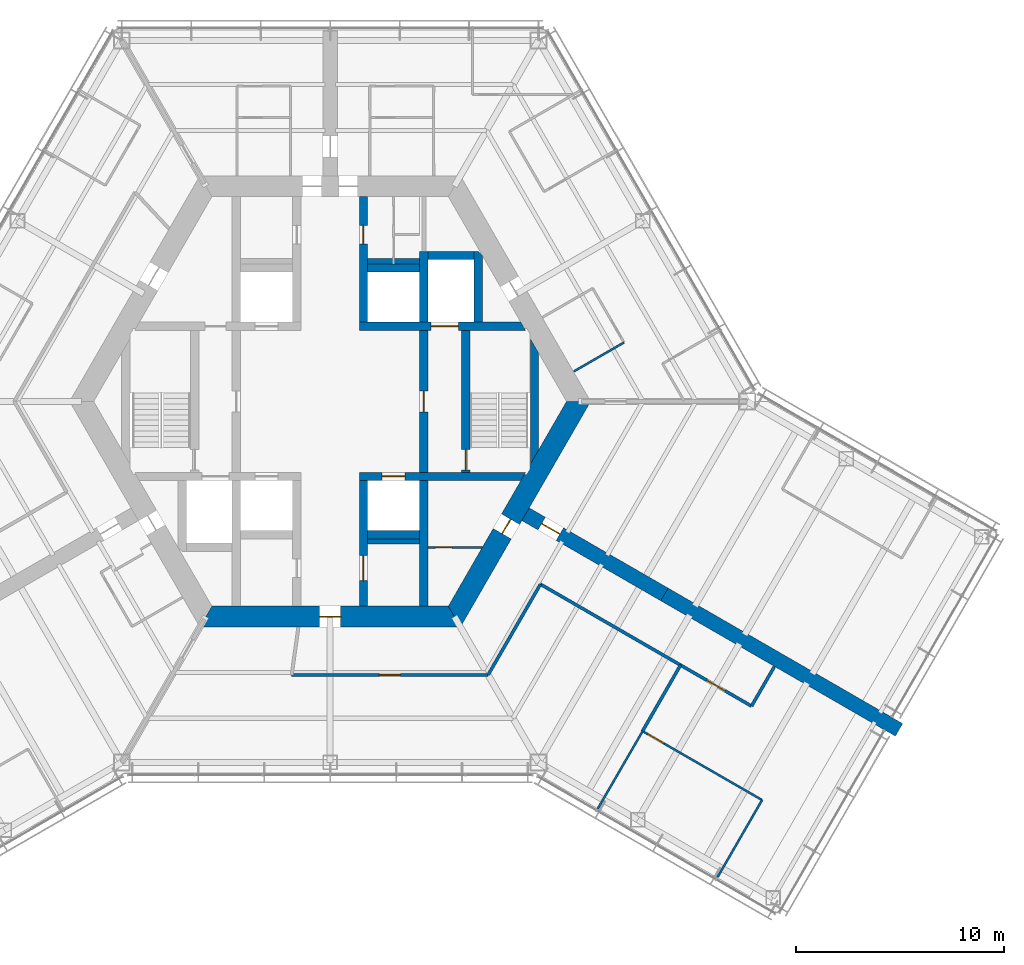
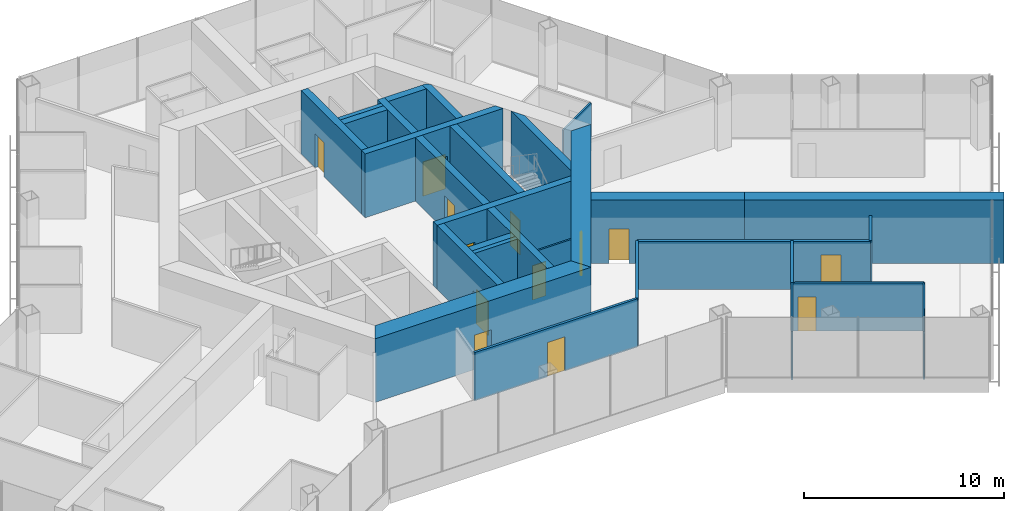
# One storey, part 13 of 18: 30 walls, 13 doors, 13 openings.
"""IFC4 building model written with IfcOpenShell, lengths in metres."""

from ifc_helpers import new_model, si_unit, direction, frame, frame_2d, origin, place, context, subcontext, project, spatial, polyline, rectangle, outline, extrude, material, layer, layer_set, type_object, element, fill, save


model = new_model("IFC4")

# Units and contexts
model_context = context("Model", 3, precision=1e-05, world=origin(), true_north=direction((0.0, 1.0)))
body_context = subcontext(model_context, "Body", "Model", "MODEL_VIEW")
ifc_project = project(units=[si_unit("LENGTHUNIT", "METRE"), si_unit("AREAUNIT", "SQUARE_METRE"), si_unit("VOLUMEUNIT", "CUBIC_METRE"), si_unit("PLANEANGLEUNIT", "RADIAN"), si_unit("MASSUNIT", "GRAM", prefix="KILO")], contexts=[model_context])

# Site, building, storey
site_placement = place(None, origin())
site = spatial("IfcSite", under=ifc_project, at=site_placement, CompositionType="ELEMENT")
building_placement = place(site_placement, origin())
building = spatial("IfcBuilding", under=site, at=building_placement, Name="Kasaneha Research Tower", CompositionType="ELEMENT")
storey_placement = place(building_placement, frame((0.0, 0.0, 148.699951171875)))
storey = spatial("IfcBuildingStorey", under=building, at=storey_placement, Name="L37", CompositionType="ELEMENT", Elevation=148.699951171875)

# Wall, opening, door
ifc_material_1 = material(Name="Concrete Fc70", Category="concrete")
ifc_layer_1 = layer(ifc_material_1, 0.39990234375)
ifc_layer_set_1 = layer_set([ifc_layer_1], Name="Core internal wall 400 Fc70")
wall_type_1 = type_object("IfcWallType", Name="Core internal wall 400 Fc70", PredefinedType="SHEAR", material=ifc_layer_set_1)
wall_1_placement = place(storey_placement, frame((1.39990234375, 3.60009765625, 0.0), z_axis=(0.0, 0.0, 1.0), x_axis=(1.0, 0.0, 0.0)))
wall_1 = element("IfcWall", 1, at=wall_1_placement, inside=storey, type_object=wall_type_1, Name="Core wall W1E L37", PredefinedType="SHEAR", context=body_context, shape_type="SweptSolid", body=[
    extrude(outline(polyline([(0.0, -0.199951171875), (3.449951171875, -0.199951171875), (4.75, -0.199951171875), (7.98193359375, -0.199951171875), (7.7509765625, 0.199951171875), (4.75, 0.199951171875), (3.449951171875, 0.199951171875), (0.0, 0.199951171875), (0.0, -0.199951171875)])), origin(), (0.0, 0.0, 1.0), 3.900146484375),
])
opening_1_placement = place(wall_1_placement, frame((3.449951171875, 0.0, 0.0)))
opening_1 = element("IfcOpeningElement", 2, at=opening_1_placement, cuts=wall_1, Name="Opening LD-FL1-L37", PredefinedType="OPENING", context=body_context, shape_type="SweptSolid", body=[
    extrude(rectangle(XDim=1.300048828125, YDim=2.10009765625, at=frame_2d((0.64990234375, 1.050048828125))), frame((0.0, 0.2099609375, 0.0), z_axis=(0.0, -1.0, 0.0), x_axis=(1.0, 0.0, 0.0)), (0.0, 0.0, 1.0), 0.419921875),
])
ifc_material_2 = material(Name="Steel", Category="steel")
door_type_1 = type_object("IfcDoorType", Name="Lift landing door 1300x2100", OperationType="DOUBLE_DOOR_SLIDING", PredefinedType="DOOR", material=ifc_material_2)
door_1_placement = place(opening_1_placement, origin())
door_1 = element("IfcDoor", 3, at=door_1_placement, inside=storey, type_object=door_type_1, Name="Landing door FL1 LD-FL1-L37", OperationType="DOUBLE_DOOR_SLIDING", OverallHeight=2.10009765625, OverallWidth=1.300048828125, PredefinedType="DOOR", context=body_context, shape_type="SweptSolid", body=[
    extrude(rectangle(XDim=1.300048828125, YDim=2.10009765625, at=frame_2d((0.64990234375, 1.050048828125))), frame((0.0, 0.02490234375, 0.0), z_axis=(0.0, -1.0, 0.0), x_axis=(1.0, 0.0, 0.0)), (0.0, 0.0, 1.0), 0.050048828125),
])
fill(opening_1, door_1)

wall_2_placement = place(storey_placement, frame((1.39990234375, -3.60009765625, 0.0), z_axis=(0.0, 0.0, 1.0), x_axis=(1.0, 0.0, 0.0)))
wall_2 = element("IfcWall", 4, at=wall_2_placement, inside=storey, type_object=wall_type_1, Name="Core wall W2E L37", PredefinedType="SHEAR", context=body_context, shape_type="SweptSolid", body=[
    extrude(outline(polyline([(0.0, -0.199951171875), (1.10009765625, -0.199951171875), (2.2001953125, -0.199951171875), (7.7509765625, -0.199951171875), (7.98193359375, 0.199951171875), (2.2001953125, 0.199951171875), (1.10009765625, 0.199951171875), (0.0, 0.199951171875), (0.0, -0.199951171875)])), origin(), (0.0, 0.0, 1.0), 3.900146484375),
])
opening_2_placement = place(wall_2_placement, frame((1.10009765625, 0.0, 0.0)))
opening_2 = element("IfcOpeningElement", 5, at=opening_2_placement, cuts=wall_2, Name="Opening LD-LM2-L37", PredefinedType="OPENING", context=body_context, shape_type="SweptSolid", body=[
    extrude(rectangle(XDim=1.10009765625, YDim=2.10009765625, at=frame_2d((0.550048828125, 1.050048828125))), frame((0.0, 0.2099609375, 0.0), z_axis=(0.0, -1.0, 0.0), x_axis=(1.0, 0.0, 0.0)), (0.0, 0.0, 1.0), 0.419921875),
])
ifc_material_3 = material(Name="Steel", Category="steel")
door_type_2 = type_object("IfcDoorType", Name="Lift landing door 1100x2100", OperationType="DOUBLE_DOOR_SLIDING", PredefinedType="DOOR", material=ifc_material_3)
door_2_placement = place(opening_2_placement, origin())
door_2 = element("IfcDoor", 6, at=door_2_placement, inside=storey, type_object=door_type_2, Name="Landing door LM2 LD-LM2-L37", OperationType="DOUBLE_DOOR_SLIDING", OverallHeight=2.10009765625, OverallWidth=1.10009765625, PredefinedType="DOOR", context=body_context, shape_type="SweptSolid", body=[
    extrude(rectangle(XDim=1.10009765625, YDim=2.10009765625, at=frame_2d((0.550048828125, 1.050048828125))), frame((0.0, 0.02490234375, 0.0), z_axis=(0.0, -1.0, 0.0), x_axis=(1.0, 0.0, 0.0)), (0.0, 0.0, 1.0), 0.050048828125),
])
fill(opening_2, door_2)

wall_3_placement = place(storey_placement, frame((1.60009765625, 3.800048828125, 0.0), z_axis=(0.0, 0.0, 1.0), x_axis=(0.0, 1.0, 0.0)))
wall_3 = element("IfcWall", 7, at=wall_3_placement, inside=storey, type_object=wall_type_1, Name="Core wall CNE L37", PredefinedType="SHEAR", context=body_context, shape_type="SweptSolid", body=[
    extrude(rectangle(XDim=6.02490234375, YDim=0.39990234375, at=frame_2d((3.012451171875, 0.0))), origin(), (0.0, 0.0, 1.0), 3.900146484375),
])
opening_3_placement = place(wall_3_placement, frame((3.75, 0.0, 0.0)))
opening_3 = element("IfcOpeningElement", 8, at=opening_3_placement, cuts=wall_3, Name="Opening L37-D14", PredefinedType="OPENING", context=body_context, shape_type="SweptSolid", body=[
    extrude(rectangle(XDim=0.89990234375, YDim=2.10009765625, at=frame_2d((0.449951171875, 1.050048828125))), frame((0.0, 0.2099609375, 0.0), z_axis=(0.0, -1.0, 0.0), x_axis=(1.0, 0.0, 0.0)), (0.0, 0.0, 1.0), 0.419921875),
])
ifc_material_4 = material(Name="Steel", Category="steel")
door_type_3 = type_object("IfcDoorType", Name="Toilet door FD20 900x2100", OperationType="NOTDEFINED", PredefinedType="DOOR", material=ifc_material_4)
door_3_placement = place(opening_3_placement, origin())
door_3 = element("IfcDoor", 9, at=door_3_placement, inside=storey, type_object=door_type_3, Name="Women's WC door L37-D14", OperationType="SINGLE_SWING_LEFT", OverallHeight=2.10009765625, OverallWidth=0.89990234375, PredefinedType="DOOR", context=body_context, shape_type="SweptSolid", body=[
    extrude(rectangle(XDim=0.89990234375, YDim=2.10009765625, at=frame_2d((0.449951171875, 1.050048828125))), frame((0.0, 0.02490234375, 0.0), z_axis=(0.0, -1.0, 0.0), x_axis=(1.0, 0.0, 0.0)), (0.0, 0.0, 1.0), 0.050048828125),
])
fill(opening_3, door_3)

wall_4_placement = place(storey_placement, frame((1.60009765625, -3.800048828125, 0.0), z_axis=(0.0, 0.0, 1.0), x_axis=(0.0, -1.0, 0.0)))
wall_4 = element("IfcWall", 10, at=wall_4_placement, inside=storey, type_object=wall_type_1, Name="Core wall CSE L37", PredefinedType="SHEAR", context=body_context, shape_type="SweptSolid", body=[
    extrude(rectangle(XDim=6.02490234375, YDim=0.39990234375, at=frame_2d((3.012451171875, 0.0))), origin(), (0.0, 0.0, 1.0), 3.900146484375),
])
opening_4_placement = place(wall_4_placement, frame((3.60009765625, 0.0, 0.0)))
opening_4 = element("IfcOpeningElement", 11, at=opening_4_placement, cuts=wall_4, Name="Opening L37-D15", PredefinedType="OPENING", context=body_context, shape_type="SweptSolid", body=[
    extrude(rectangle(XDim=1.199951171875, YDim=2.10009765625, at=frame_2d((0.60009765625, 1.050048828125))), frame((0.0, 0.2099609375, 0.0), z_axis=(0.0, -1.0, 0.0), x_axis=(1.0, 0.0, 0.0)), (0.0, 0.0, 1.0), 0.419921875),
])
ifc_material_5 = material(Name="Steel", Category="steel")
door_type_4 = type_object("IfcDoorType", Name="Accessible toilet sliding door FD20 1200x2100", OperationType="SLIDING_TO_LEFT", PredefinedType="DOOR", material=ifc_material_5)
door_4_placement = place(opening_4_placement, origin())
door_4 = element("IfcDoor", 12, at=door_4_placement, inside=storey, type_object=door_type_4, Name="Accessible WC door L37-D15", OperationType="SLIDING_TO_LEFT", OverallHeight=2.10009765625, OverallWidth=1.199951171875, PredefinedType="DOOR", context=body_context, shape_type="SweptSolid", body=[
    extrude(rectangle(XDim=1.199951171875, YDim=2.10009765625, at=frame_2d((0.60009765625, 1.050048828125))), frame((0.0, 0.02490234375, 0.0), z_axis=(0.0, -1.0, 0.0), x_axis=(1.0, 0.0, 0.0)), (0.0, 0.0, 1.0), 0.050048828125),
])
fill(opening_4, door_4)

wall_5_placement = place(storey_placement, frame((4.5, -3.39990234375, 0.0), z_axis=(0.0, 0.0, 1.0), x_axis=(0.0, 1.0, 0.0)))
wall_5 = element("IfcWall", 13, at=wall_5_placement, inside=storey, type_object=wall_type_1, Name="Core wall LBE L37", PredefinedType="SHEAR", context=body_context, shape_type="SweptSolid", body=[
    extrude(rectangle(XDim=6.7998046875, YDim=0.39990234375, at=frame_2d((3.39990234375, 0.0))), origin(), (0.0, 0.0, 1.0), 3.900146484375),
])
opening_5_placement = place(wall_5_placement, frame((2.89990234375, 0.0, 0.0)))
opening_5 = element("IfcOpeningElement", 14, at=opening_5_placement, cuts=wall_5, Name="Opening L37-D08", PredefinedType="OPENING", context=body_context, shape_type="SweptSolid", body=[
    extrude(rectangle(XDim=1.0, YDim=2.10009765625, at=frame_2d((0.5, 1.050048828125))), frame((0.0, 0.2099609375, 0.0), z_axis=(0.0, -1.0, 0.0), x_axis=(1.0, 0.0, 0.0)), (0.0, 0.0, 1.0), 0.419921875),
])
ifc_material_6 = material(Name="Steel", Category="steel")
door_type_5 = type_object("IfcDoorType", Name="Specified fire door FD60 1000x2100", OperationType="NOTDEFINED", PredefinedType="DOOR", material=ifc_material_6)
door_5_placement = place(opening_5_placement, origin())
door_5 = element("IfcDoor", 15, at=door_5_placement, inside=storey, type_object=door_type_5, Name="Lift lobby door east L37-D08", OperationType="SINGLE_SWING_LEFT", OverallHeight=2.10009765625, OverallWidth=1.0, PredefinedType="DOOR", context=body_context, shape_type="SweptSolid", body=[
    extrude(rectangle(XDim=1.0, YDim=2.10009765625, at=frame_2d((0.5, 1.050048828125))), frame((0.0, 0.02490234375, 0.0), z_axis=(0.0, -1.0, 0.0), x_axis=(1.0, 0.0, 0.0)), (0.0, 0.0, 1.0), 0.050048828125),
])
fill(opening_5, door_5)

wall_6_placement = place(storey_placement, frame((6.5, -3.39990234375, 0.0), z_axis=(0.0, 0.0, 1.0), x_axis=(0.0, 1.0, 0.0)))
wall_6 = element("IfcWall", 16, at=wall_6_placement, inside=storey, type_object=wall_type_1, Name="Core wall ANE L37", PredefinedType="SHEAR", context=body_context, shape_type="SweptSolid", body=[
    extrude(rectangle(XDim=6.7998046875, YDim=0.39990234375, at=frame_2d((3.39990234375, 0.0))), origin(), (0.0, 0.0, 1.0), 3.900146484375),
])
opening_6_placement = place(wall_6_placement, frame((0.10009765625, 0.0, 0.0)))
opening_6 = element("IfcOpeningElement", 17, at=opening_6_placement, cuts=wall_6, Name="Opening L37-D10", PredefinedType="OPENING", context=body_context, shape_type="SweptSolid", body=[
    extrude(rectangle(XDim=1.0, YDim=2.10009765625, at=frame_2d((0.5, 1.050048828125))), frame((0.0, 0.2099609375, 0.0), z_axis=(0.0, -1.0, 0.0), x_axis=(1.0, 0.0, 0.0)), (0.0, 0.0, 1.0), 0.419921875),
])
door_6_placement = place(opening_6_placement, origin())
door_6 = element("IfcDoor", 18, at=door_6_placement, inside=storey, type_object=door_type_5, Name="Stair 1 door L37-D10", OperationType="SINGLE_SWING_LEFT", OverallHeight=2.10009765625, OverallWidth=1.0, PredefinedType="DOOR", context=body_context, shape_type="SweptSolid", body=[
    extrude(rectangle(XDim=1.0, YDim=2.10009765625, at=frame_2d((0.5, 1.050048828125))), frame((0.0, 0.02490234375, 0.0), z_axis=(0.0, -1.0, 0.0), x_axis=(1.0, 0.0, 0.0)), (0.0, 0.0, 1.0), 0.050048828125),
])
fill(opening_6, door_6)

# Walls
wall_7_placement = place(storey_placement, frame((4.5, 3.800048828125, 0.0), z_axis=(0.0, 0.0, 1.0), x_axis=(0.0, 1.0, 0.0)))
element("IfcWall", 19, at=wall_7_placement, inside=storey, type_object=wall_type_1, Name="Core wall FNE L37", PredefinedType="SHEAR", context=body_context, shape_type="SweptSolid", body=[
    extrude(rectangle(XDim=3.39990234375, YDim=0.39990234375, at=frame_2d((1.699951171875, 0.0))), origin(), (0.0, 0.0, 1.0), 3.900146484375),
])
wall_8_placement = place(storey_placement, frame((4.5, -3.800048828125, 0.0), z_axis=(0.0, 0.0, 1.0), x_axis=(0.0, -1.0, 0.0)))
element("IfcWall", 20, at=wall_8_placement, inside=storey, type_object=wall_type_1, Name="Core wall SSE L37", PredefinedType="SHEAR", context=body_context, shape_type="SweptSolid", body=[
    extrude(rectangle(XDim=6.02490234375, YDim=0.39990234375, at=frame_2d((3.012451171875, 0.0))), origin(), (0.0, 0.0, 1.0), 3.900146484375),
])
for number, where, z_axis, x_axis, name in (
    (21, (1.800048828125, 6.39990234375, 0.0), (0.0, 0.0, 1.0), (1.0, 0.0, 0.0), "Core wall N3N L37"),
    (22, (1.800048828125, -6.39990234375, 0.0), (0.0, 0.0, 1.0), (1.0, 0.0, 0.0), "Core wall S3S L37"),
):
    element("IfcWall", number, at=place(storey_placement, frame(where, z_axis=z_axis, x_axis=x_axis)), inside=storey, type_object=wall_type_1, Name=name, PredefinedType="SHEAR", context=body_context, shape_type="SweptSolid", body=[
        extrude(rectangle(XDim=2.5, YDim=0.39990234375, at=frame_2d((1.25, 0.0))), origin(), (0.0, 0.0, 1.0), 3.900146484375),
    ])
wall_9_placement = place(storey_placement, frame((4.699951171875, 7.0, 0.0), z_axis=(0.0, 0.0, 1.0), x_axis=(1.0, 0.0, 0.0)))
element("IfcWall", 23, at=wall_9_placement, inside=storey, type_object=wall_type_1, Name="Core wall F1N L37", PredefinedType="SHEAR", context=body_context, shape_type="SweptSolid", body=[
    extrude(rectangle(XDim=2.199951171875, YDim=0.39990234375, at=frame_2d((1.10009765625, 0.0))), origin(), (0.0, 0.0, 1.0), 3.900146484375),
])
wall_10_placement = place(storey_placement, frame((7.10009765625, 3.800048828125, 0.0), z_axis=(0.0, 0.0, 1.0), x_axis=(0.0, 1.0, 0.0)))
element("IfcWall", 24, at=wall_10_placement, inside=storey, type_object=wall_type_1, Name="Core wall F1E L37", PredefinedType="SHEAR", context=body_context, shape_type="SweptSolid", body=[
    extrude(outline(polyline([(0.0, -0.199951171875), (3.205810546875, -0.199951171875), (3.39990234375, 0.0), (3.39990234375, 0.199951171875), (0.0, 0.199951171875), (0.0, -0.199951171875)])), origin(), (0.0, 0.0, 1.0), 3.900146484375),
])
wall_11_placement = place(storey_placement, frame((9.807861328125, -2.662353515625, 0.0), z_axis=(0.0, 0.0, 1.0), x_axis=(0.0, 1.0, 0.0)))
element("IfcWall", 25, at=wall_11_placement, inside=storey, type_object=wall_type_1, Name="Core wall STE L37", PredefinedType="SHEAR", context=body_context, shape_type="SweptSolid", body=[
    extrude(outline(polyline([(0.346435546875, -0.199951171875), (4.978271484375, -0.199951171875), (5.671142578125, 0.199951171875), (-0.346435546875, 0.199951171875), (0.346435546875, -0.199951171875)])), origin(), (0.0, 0.0, 1.0), 3.900146484375),
])

# Wall, opening, door
ifc_material_7 = material(Name="Concrete Fc70", Category="concrete")
ifc_layer_2 = layer(ifc_material_7, 1.0)
ifc_layer_set_2 = layer_set([ifc_layer_2], Name="Core wall 1000 Fc70")
wall_type_2 = type_object("IfcWallType", Name="Core wall 1000 Fc70", PredefinedType="SHEAR", material=ifc_layer_set_2)
wall_12_placement = place(storey_placement, frame((-5.961181640625, -10.324951171875, 0.0), z_axis=(0.0, 0.0, 1.0), x_axis=(1.0, 0.0, 0.0)))
wall_12 = element("IfcWall", 26, at=wall_12_placement, inside=storey, type_object=wall_type_2, Name="Core wall 270 L37", PredefinedType="SHEAR", context=body_context, shape_type="SweptSolid", body=[
    extrude(outline(polyline([(-0.28857421875, -0.5), (5.461181640625, -0.5), (6.461181640625, -0.5), (12.2109375, -0.5), (11.6337890625, 0.5), (6.461181640625, 0.5), (5.461181640625, 0.5), (0.28857421875, 0.5), (-0.28857421875, -0.5)])), origin(), (0.0, 0.0, 1.0), 3.900146484375),
])
opening_7_placement = place(wall_12_placement, frame((5.461181640625, 0.0, 0.0)))
opening_7 = element("IfcOpeningElement", 27, at=opening_7_placement, cuts=wall_12, Name="Opening L37-D03", PredefinedType="OPENING", context=body_context, shape_type="SweptSolid", body=[
    extrude(rectangle(XDim=1.0, YDim=2.10009765625, at=frame_2d((0.5, 1.050048828125))), frame((0.0, 0.510009765625, 0.0), z_axis=(0.0, -1.0, 0.0), x_axis=(1.0, 0.0, 0.0)), (0.0, 0.0, 1.0), 1.02001953125),
])
ifc_material_8 = material(Name="Steel", Category="steel")
door_type_6 = type_object("IfcDoorType", Name="Fire door FD20 1000x2100", OperationType="NOTDEFINED", PredefinedType="DOOR", material=ifc_material_8)
door_7_placement = place(opening_7_placement, origin())
door_7 = element("IfcDoor", 28, at=door_7_placement, inside=storey, type_object=door_type_6, Name="Core door south L37-D03", OperationType="SINGLE_SWING_LEFT", OverallHeight=2.10009765625, OverallWidth=1.0, PredefinedType="DOOR", context=body_context, shape_type="SweptSolid", body=[
    extrude(rectangle(XDim=1.0, YDim=2.10009765625, at=frame_2d((0.5, 1.050048828125))), frame((0.0, 0.02490234375, 0.0), z_axis=(0.0, -1.0, 0.0), x_axis=(1.0, 0.0, 0.0)), (0.0, 0.0, 1.0), 0.050048828125),
])
fill(opening_7, door_7)

wall_13_placement = place(storey_placement, frame((5.961181640625, -10.324951171875, 0.0), z_axis=(0.0, 0.0, 1.0), x_axis=(0.500004296715, 0.866022923061, 0.0)))
wall_13 = element("IfcWall", 29, at=wall_13_placement, inside=storey, type_object=wall_type_2, Name="Core wall 330 L37", PredefinedType="SHEAR", context=body_context, shape_type="SweptSolid", body=[
    extrude(outline(polyline([(-0.28857421875, -0.5), (4.593994140625, -0.5), (5.39404296875, -0.5), (12.2109375, -0.5), (11.6337890625, 0.5), (5.39404296875, 0.5), (4.593994140625, 0.5), (0.28857421875, 0.5), (-0.28857421875, -0.5)])), origin(), (0.0, 0.0, 1.0), 3.900146484375),
])
opening_8_placement = place(wall_13_placement, frame((4.593994140625, 0.0, 0.0)))
opening_8 = element("IfcOpeningElement", 30, at=opening_8_placement, cuts=wall_13, Name="Opening L37-D05", PredefinedType="OPENING", context=body_context, shape_type="SweptSolid", body=[
    extrude(rectangle(XDim=0.800048828125, YDim=2.10009765625, at=frame_2d((0.39990234375, 1.050048828125))), frame((0.0, 0.510009765625, 0.0), z_axis=(0.0, -1.0, 0.0), x_axis=(1.0, 0.0, 0.0)), (0.0, 0.0, 1.0), 1.02001953125),
])
ifc_material_9 = material(Name="Steel", Category="steel")
door_type_7 = type_object("IfcDoorType", Name="Riser access door FD60 800x2100", OperationType="NOTDEFINED", PredefinedType="DOOR", material=ifc_material_9)
door_8_placement = place(opening_8_placement, origin())
door_8 = element("IfcDoor", 31, at=door_8_placement, inside=storey, type_object=door_type_7, Name="Pipe riser door L37-D05", OperationType="SINGLE_SWING_LEFT", OverallHeight=2.10009765625, OverallWidth=0.800048828125, PredefinedType="DOOR", context=body_context, shape_type="SweptSolid", body=[
    extrude(rectangle(XDim=0.800048828125, YDim=2.10009765625, at=frame_2d((0.39990234375, 1.050048828125))), frame((0.0, 0.02490234375, 0.0), z_axis=(0.0, -1.0, 0.0), x_axis=(1.0, 0.0, 0.0)), (0.0, 0.0, 1.0), 0.050048828125),
])
fill(opening_8, door_8)

ifc_material_10 = material(Name="Gypsum board on steel studs, one layer each side", Category="steel")
ifc_layer_3 = layer(ifc_material_10, 0.10009765625)
ifc_layer_set_3 = layer_set([ifc_layer_3], Name="Office partition 100")
wall_type_3 = type_object("IfcWallType", Name="Office partition 100", PredefinedType="PARTITIONING", material=ifc_layer_set_3)
wall_14_placement = place(storey_placement, frame((4.699951171875, -7.0, 0.0), z_axis=(0.0, 0.0, 1.0), x_axis=(1.0, 0.0, 0.0)))
wall_14 = element("IfcWall", 32, at=wall_14_placement, inside=storey, type_object=wall_type_3, Name="Office partition RS-SE L37", PredefinedType="PARTITIONING", context=body_context, shape_type="SweptSolid", body=[
    extrude(outline(polyline([(0.0, -0.050048828125), (0.35009765625, -0.050048828125), (1.150146484375, -0.050048828125), (2.57470703125, -0.050048828125), (2.603515625, 0.0), (2.609375, 0.050048828125), (1.150146484375, 0.050048828125), (0.35009765625, 0.050048828125), (0.0, 0.050048828125), (0.0, -0.050048828125)])), origin(), (0.0, 0.0, 1.0), 2.949951171875),
])
opening_9_placement = place(wall_14_placement, frame((0.35009765625, 0.0, 0.0)))
opening_9 = element("IfcOpeningElement", 33, at=opening_9_placement, cuts=wall_14, Name="Opening L37-D22", PredefinedType="OPENING", context=body_context, shape_type="SweptSolid", body=[
    extrude(rectangle(XDim=0.800048828125, YDim=2.10009765625, at=frame_2d((0.39990234375, 1.050048828125))), frame((0.0, 0.06005859375, 0.0), z_axis=(0.0, -1.0, 0.0), x_axis=(1.0, 0.0, 0.0)), (0.0, 0.0, 1.0), 0.1201171875),
])
door_9_placement = place(opening_9_placement, origin())
door_9 = element("IfcDoor", 34, at=door_9_placement, inside=storey, type_object=door_type_7, Name="Drainage riser door L37-D22", OperationType="SINGLE_SWING_LEFT", OverallHeight=2.10009765625, OverallWidth=0.800048828125, PredefinedType="DOOR", context=body_context, shape_type="SweptSolid", body=[
    extrude(rectangle(XDim=0.800048828125, YDim=2.10009765625, at=frame_2d((0.39990234375, 1.050048828125))), frame((0.0, 0.02490234375, 0.0), z_axis=(0.0, -1.0, 0.0), x_axis=(1.0, 0.0, 0.0)), (0.0, 0.0, 1.0), 0.050048828125),
])
fill(opening_9, door_9)

# Walls
wall_15_placement = place(storey_placement, frame((14.099609375, 2.828857421875, 0.0), z_axis=(0.0, 0.0, 1.0), x_axis=(-0.866018876994, -0.500011304563, 0.0)))
element("IfcWall", 35, at=wall_15_placement, inside=storey, type_object=wall_type_3, Name="Office partition FAE09 L37", PredefinedType="PARTITIONING", context=body_context, shape_type="SweptSolid", body=[
    extrude(rectangle(XDim=2.7802734375, YDim=0.10009765625, at=frame_2d((1.39013671875, 0.0))), origin(), (0.0, 0.0, 1.0), 2.949951171875),
])
wall_16_placement = place(storey_placement, frame((12.839599609375, -19.543212890625, 0.0), z_axis=(0.0, 0.0, 1.0), x_axis=(0.500980382613, 0.865458639241, 0.0)))
element("IfcWall", 36, at=wall_16_placement, inside=storey, type_object=wall_type_3, Name="Office partition FCS07 L37", PredefinedType="PARTITIONING", context=body_context, shape_type="SweptSolid", body=[
    extrude(rectangle(XDim=4.304931640625, YDim=0.10009765625, at=frame_2d((2.15234375, 0.0))), origin(), (0.0, 0.0, 1.0), 2.949951171875),
])

# Wall, opening, door
wall_17_placement = place(storey_placement, frame((14.989990234375, -15.81884765625, 0.0), z_axis=(0.0, 0.0, 1.0), x_axis=(0.866369113407, -0.499404204361, 0.0)))
wall_17 = element("IfcWall", 37, at=wall_17_placement, inside=storey, type_object=wall_type_3, Name="Office partition FCS08 L37", PredefinedType="PARTITIONING", context=body_context, shape_type="SweptSolid", body=[
    extrude(rectangle(XDim=6.61962890625, YDim=0.10009765625, at=frame_2d((3.309814453125, 0.0))), origin(), (0.0, 0.0, 1.0), 2.949951171875),
])
opening_10_placement = place(wall_17_placement, frame((0.300048828125, 0.0, 0.0)))
opening_10 = element("IfcOpeningElement", 38, at=opening_10_placement, cuts=wall_17, Name="Opening L37-D46", PredefinedType="OPENING", context=body_context, shape_type="SweptSolid", body=[
    extrude(rectangle(XDim=0.89990234375, YDim=2.10009765625, at=frame_2d((0.449951171875, 1.050048828125))), frame((0.0, 0.06005859375, 0.0), z_axis=(0.0, -1.0, 0.0), x_axis=(1.0, 0.0, 0.0)), (0.0, 0.0, 1.0), 0.1201171875),
])
ifc_material_11 = material(Name="Timber veneer", Category="wood")
door_type_8 = type_object("IfcDoorType", Name="Office door 900x2100", OperationType="SINGLE_SWING_LEFT", PredefinedType="DOOR", material=ifc_material_11)
door_10_placement = place(opening_10_placement, origin())
door_10 = element("IfcDoor", 39, at=door_10_placement, inside=storey, type_object=door_type_8, Name="Meeting room door L37-D46", OperationType="SINGLE_SWING_LEFT", OverallHeight=2.10009765625, OverallWidth=0.89990234375, PredefinedType="DOOR", context=body_context, shape_type="SweptSolid", body=[
    extrude(rectangle(XDim=0.89990234375, YDim=2.10009765625, at=frame_2d((0.449951171875, 1.050048828125))), frame((0.0, 0.02490234375, 0.0), z_axis=(0.0, -1.0, 0.0), x_axis=(1.0, 0.0, 0.0)), (0.0, 0.0, 1.0), 0.050048828125),
])
fill(opening_10, door_10)

# Wall
wall_18_placement = place(storey_placement, frame((20.72509765625, -19.124755859375, 0.0), z_axis=(0.0, 0.0, 1.0), x_axis=(-0.500028586798, -0.86600889856, 0.0)))
element("IfcWall", 40, at=wall_18_placement, inside=storey, type_object=wall_type_3, Name="Office partition FCS09 L37", PredefinedType="PARTITIONING", context=body_context, shape_type="SweptSolid", body=[
    extrude(rectangle(XDim=4.280029296875, YDim=0.10009765625, at=frame_2d((2.14013671875, 0.0))), origin(), (0.0, 0.0, 1.0), 2.949951171875),
])

# Wall, opening, door
ifc_material_12 = material(Name="Concrete Fc70", Category="concrete")
ifc_layer_4 = layer(ifc_material_12, 0.699951171875)
ifc_layer_set_4 = layer_set([ifc_layer_4], Name="Spine wall 700 Fc70")
wall_type_4 = type_object("IfcWallType", Name="Spine wall 700 Fc70", PredefinedType="SHEAR", material=ifc_layer_set_4)
wall_19_placement = place(storey_placement, frame((9.374755859375, -5.41259765625, 0.0), z_axis=(0.0, 0.0, 1.0), x_axis=(0.866032377459, -0.499987921047, 0.0)))
wall_19 = element("IfcWall", 41, at=wall_19_placement, inside=storey, type_object=wall_type_4, Name="Spine wall C L37", PredefinedType="SHEAR", context=body_context, shape_type="SweptSolid", body=[
    extrude(rectangle(XDim=7.695556640625, YDim=0.699951171875, at=frame_2d((3.84765625, 0.0))), origin(), (0.0, 0.0, 1.0), 3.900146484375),
])
opening_11_placement = place(wall_19_placement, frame((0.89990234375, 0.0, 0.0)))
opening_11 = element("IfcOpeningElement", 42, at=opening_11_placement, cuts=wall_19, Name="Opening L37-D19", PredefinedType="OPENING", context=body_context, shape_type="SweptSolid", body=[
    extrude(rectangle(XDim=1.0, YDim=2.10009765625, at=frame_2d((0.5, 1.050048828125))), frame((0.0, 0.35986328125, 0.0), z_axis=(0.0, -1.0, 0.0), x_axis=(1.0, 0.0, 0.0)), (0.0, 0.0, 1.0), 0.719970703125),
])
door_11_placement = place(opening_11_placement, origin())
door_11 = element("IfcDoor", 43, at=door_11_placement, inside=storey, type_object=door_type_5, Name="Spine doorway C L37-D19", OperationType="SINGLE_SWING_LEFT", OverallHeight=2.10009765625, OverallWidth=1.0, PredefinedType="DOOR", context=body_context, shape_type="SweptSolid", body=[
    extrude(rectangle(XDim=1.0, YDim=2.10009765625, at=frame_2d((0.5, 1.050048828125))), frame((0.0, 0.02490234375, 0.0), z_axis=(0.0, -1.0, 0.0), x_axis=(1.0, 0.0, 0.0)), (0.0, 0.0, 1.0), 0.050048828125),
])
fill(opening_11, door_11)

# Wall
wall_20_placement = place(storey_placement, frame((16.039306640625, -9.26025390625, 0.0), z_axis=(0.0, 0.0, 1.0), x_axis=(0.866024837091, -0.50000098154, 0.0)))
element("IfcWall", 44, at=wall_20_placement, inside=storey, type_object=wall_type_4, Name="Spine wall C wing L37", PredefinedType="SHEAR", context=body_context, shape_type="SweptSolid", body=[
    extrude(rectangle(XDim=13.0, YDim=0.699951171875, at=frame_2d((6.5, 0.0))), origin(), (0.0, 0.0, 1.0), 3.900146484375),
])

# Wall, opening, door
ifc_material_13 = material(Name="Gypsum board on steel studs, two layers each side", Category="steel")
ifc_layer_5 = layer(ifc_material_13, 0.14990234375)
ifc_layer_set_5 = layer_set([ifc_layer_5], Name="Suite partition 150")
wall_type_5 = type_object("IfcWallType", Name="Suite partition 150", PredefinedType="PARTITIONING", material=ifc_layer_set_5)
wall_21_placement = place(storey_placement, frame((7.57763671875, -13.125, 0.0), z_axis=(0.0, 0.0, 1.0), x_axis=(-1.0, 0.0, 0.0)))
wall_21 = element("IfcWall", 45, at=wall_21_placement, inside=storey, type_object=wall_type_5, Name="Suite partition FCS02 L37", PredefinedType="PARTITIONING", context=body_context, shape_type="SweptSolid", body=[
    extrude(rectangle(XDim=9.422119140625, YDim=0.14990234375, at=frame_2d((4.7109375, 0.0))), origin(), (0.0, 0.0, 1.0), 2.949951171875),
])
opening_12_placement = place(wall_21_placement, frame((4.211181640625, 0.0, 0.0)))
opening_12 = element("IfcOpeningElement", 46, at=opening_12_placement, cuts=wall_21, Name="Opening L37-D44", PredefinedType="OPENING", context=body_context, shape_type="SweptSolid", body=[
    extrude(rectangle(XDim=1.0, YDim=2.10009765625, at=frame_2d((0.5, 1.050048828125))), frame((0.0, 0.0849609375, 0.0), z_axis=(0.0, -1.0, 0.0), x_axis=(1.0, 0.0, 0.0)), (0.0, 0.0, 1.0), 0.169921875),
])
ifc_material_14 = material(Name="Steel", Category="steel")
door_type_9 = type_object("IfcDoorType", Name="Suite entrance door FD60 1000x2100", OperationType="NOTDEFINED", PredefinedType="DOOR", material=ifc_material_14)
door_12_placement = place(opening_12_placement, origin())
door_12 = element("IfcDoor", 47, at=door_12_placement, inside=storey, type_object=door_type_9, Name="Suite entrance door L37-D44", OperationType="SINGLE_SWING_LEFT", OverallHeight=2.10009765625, OverallWidth=1.0, PredefinedType="DOOR", context=body_context, shape_type="SweptSolid", body=[
    extrude(rectangle(XDim=1.0, YDim=2.10009765625, at=frame_2d((0.5, 1.050048828125))), frame((0.0, 0.02490234375, 0.0), z_axis=(0.0, -1.0, 0.0), x_axis=(1.0, 0.0, 0.0)), (0.0, 0.0, 1.0), 0.050048828125),
])
fill(opening_12, door_12)

# Walls
wall_22_placement = place(storey_placement, frame((10.091552734375, -8.77099609375, 0.0), z_axis=(0.0, 0.0, 1.0), x_axis=(-0.500019495363, -0.866014147839, 0.0)))
element("IfcWall", 48, at=wall_22_placement, inside=storey, type_object=wall_type_5, Name="Suite partition FCS03 L37", PredefinedType="PARTITIONING", context=body_context, shape_type="SweptSolid", body=[
    extrude(rectangle(XDim=5.027587890625, YDim=0.14990234375, at=frame_2d((2.513671875, 0.0))), origin(), (0.0, 0.0, 1.0), 2.949951171875),
])
wall_23_placement = place(storey_placement, frame((16.821533203125, -12.656494140625, 0.0), z_axis=(0.0, 0.0, 1.0), x_axis=(-0.866028634939, 0.499994403434, 0.0)))
element("IfcWall", 49, at=wall_23_placement, inside=storey, type_object=wall_type_5, Name="Suite partition FCS04 L37", PredefinedType="PARTITIONING", context=body_context, shape_type="SweptSolid", body=[
    extrude(rectangle(XDim=7.77099609375, YDim=0.14990234375, at=frame_2d((3.885498046875, 0.0))), origin(), (0.0, 0.0, 1.0), 2.949951171875),
])

# Wall, opening, door
wall_24_placement = place(storey_placement, frame((20.22021484375, -14.61865234375, 0.0), z_axis=(0.0, 0.0, 1.0), x_axis=(-0.866011978186, 0.500023253097, 0.0)))
wall_24 = element("IfcWall", 50, at=wall_24_placement, inside=storey, type_object=wall_type_5, Name="Suite partition FCS05 L37", PredefinedType="PARTITIONING", context=body_context, shape_type="SweptSolid", body=[
    extrude(rectangle(XDim=3.934326171875, YDim=0.14990234375, at=frame_2d((1.96728515625, 0.0))), origin(), (0.0, 0.0, 1.0), 2.949951171875),
])
opening_13_placement = place(wall_24_placement, frame((1.46728515625, 0.0, 0.0)))
opening_13 = element("IfcOpeningElement", 51, at=opening_13_placement, cuts=wall_24, Name="Opening L37-D45", PredefinedType="OPENING", context=body_context, shape_type="SweptSolid", body=[
    extrude(rectangle(XDim=1.0, YDim=2.10009765625, at=frame_2d((0.5, 1.050048828125))), frame((0.0, 0.0849609375, 0.0), z_axis=(0.0, -1.0, 0.0), x_axis=(1.0, 0.0, 0.0)), (0.0, 0.0, 1.0), 0.169921875),
])
door_13_placement = place(opening_13_placement, origin())
door_13 = element("IfcDoor", 52, at=door_13_placement, inside=storey, type_object=door_type_9, Name="Suite entrance door L37-D45", OperationType="SINGLE_SWING_RIGHT", OverallHeight=2.10009765625, OverallWidth=1.0, PredefinedType="DOOR", context=body_context, shape_type="SweptSolid", body=[
    extrude(rectangle(XDim=1.0, YDim=2.10009765625, at=frame_2d((0.5, 1.050048828125))), frame((0.0, 0.02490234375, 0.0), z_axis=(0.0, -1.0, 0.0), x_axis=(1.0, 0.0, 0.0)), (0.0, 0.0, 1.0), 0.050048828125),
])
fill(opening_13, door_13)

# Walls
wall_25_placement = place(storey_placement, frame((21.310302734375, -12.730712890625, 0.0), z_axis=(0.0, 0.0, 1.0), x_axis=(-0.500029427677, -0.866008413041, 0.0)))
element("IfcWall", 53, at=wall_25_placement, inside=storey, type_object=wall_type_5, Name="Suite partition FCS06 L37", PredefinedType="PARTITIONING", context=body_context, shape_type="SweptSolid", body=[
    extrude(rectangle(XDim=2.179931640625, YDim=0.14990234375, at=frame_2d((1.08984375, 0.0))), origin(), (0.0, 0.0, 1.0), 2.949951171875),
])
wall_26_placement = place(storey_placement, frame((16.8125, -12.65185546875, 0.0), z_axis=(0.0, 0.0, 1.0), x_axis=(-0.498856473776, -0.866684613093, 0.0)))
element("IfcWall", 54, at=wall_26_placement, inside=storey, type_object=wall_type_5, Name="Suite partition FCS10 L37", PredefinedType="PARTITIONING", context=body_context, shape_type="SweptSolid", body=[
    extrude(rectangle(XDim=3.65380859375, YDim=0.14990234375, at=frame_2d((1.826904296875, 0.0))), origin(), (0.0, 0.0, 1.0), 2.949951171875),
])
ifc_material_15 = material(Name="Concrete block lining", Category="concrete")
ifc_layer_6 = layer(ifc_material_15, 0.25)
ifc_layer_set_6 = layer_set([ifc_layer_6], Name="WC plumbing wall 250")
wall_type_6 = type_object("IfcWallType", Name="WC plumbing wall 250", PredefinedType="PLUMBINGWALL", material=ifc_layer_set_6)
for number, where, z_axis, x_axis, name in (
    (55, (1.800048828125, 6.72509765625, 0.0), (0.0, 0.0, 1.0), (1.0, 0.0, 0.0), "WC plumbing wall F L37"),
    (56, (1.800048828125, -6.72509765625, 0.0), (0.0, 0.0, 1.0), (1.0, 0.0, 0.0), "WC plumbing wall A L37"),
):
    element("IfcWall", number, at=place(storey_placement, frame(where, z_axis=z_axis, x_axis=x_axis)), inside=storey, type_object=wall_type_6, Name=name, PredefinedType="PLUMBINGWALL", context=body_context, shape_type="SweptSolid", body=[
        extrude(rectangle(XDim=2.5, YDim=0.25, at=frame_2d((1.25, 0.0))), origin(), (0.0, 0.0, 1.0), 3.900146484375),
    ])

save(model, "model.ifc")
